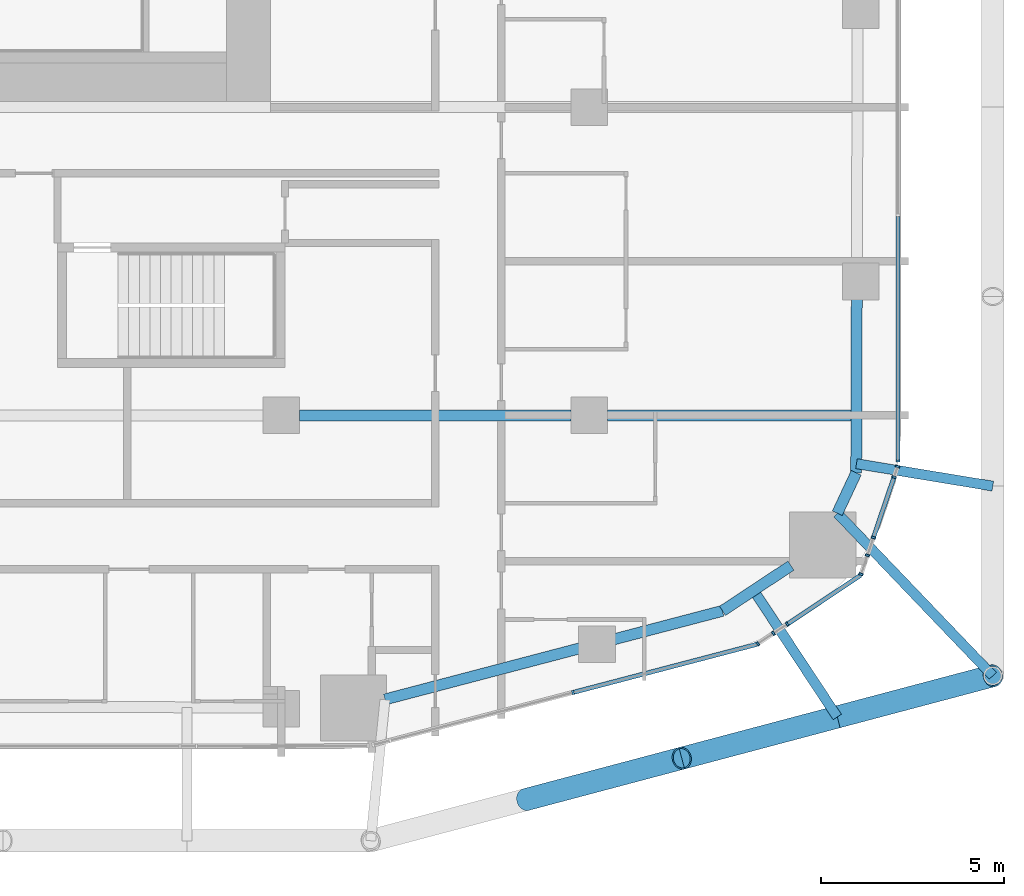
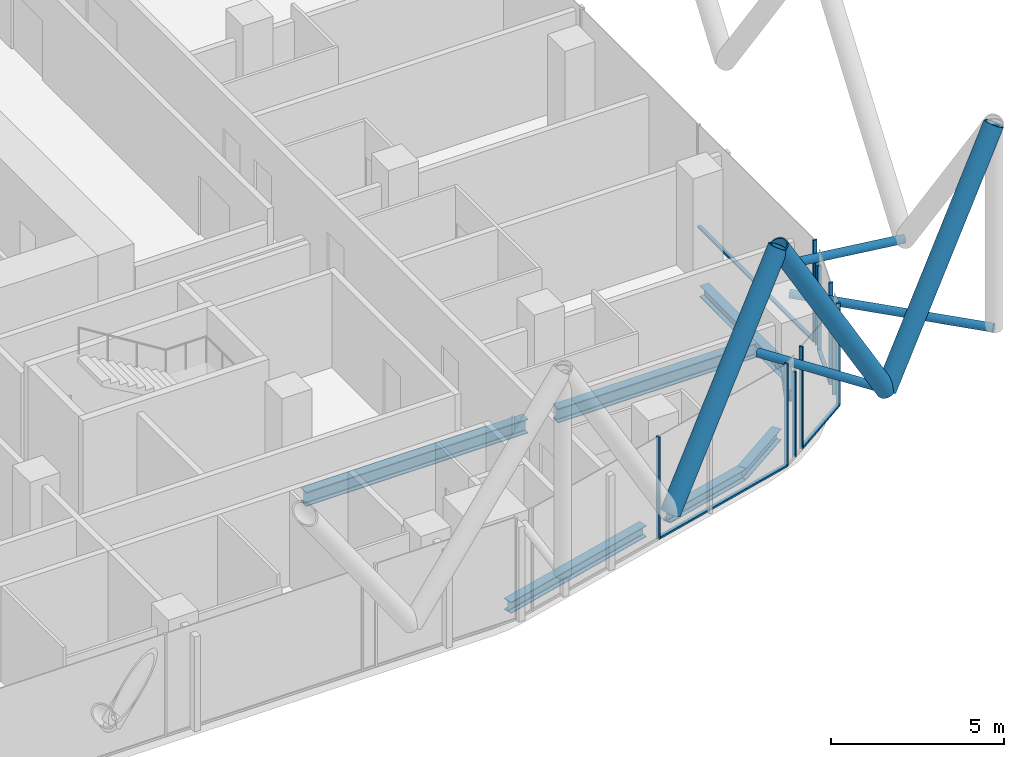
# One storey, part 6 of 38: 20 members, 7 beams, 9 elements without a shape of their own.
"""IFC4 building model written with IfcOpenShell, lengths in metres."""

from ifc_helpers import new_model, si_unit, direction, frame, origin, origin_2d, place, context, subcontext, project, spatial, rectangle, hollow_circle, i_section, extrude, material, layer, layer_set, material_profile, profile_set, type_object, element, aggregate, save


model = new_model("IFC4")

# Units and contexts
model_context = context("Model", 3, precision=1e-05, world=origin(), true_north=direction((0.0, 1.0)))
body_context = subcontext(model_context, "Body", "Model", "MODEL_VIEW")
ifc_project = project(units=[si_unit("LENGTHUNIT", "METRE"), si_unit("AREAUNIT", "SQUARE_METRE"), si_unit("VOLUMEUNIT", "CUBIC_METRE"), si_unit("PLANEANGLEUNIT", "RADIAN"), si_unit("MASSUNIT", "GRAM", prefix="KILO")], contexts=[model_context])

# Site, building, storey
site_placement = place(None, origin())
site = spatial("IfcSite", under=ifc_project, at=site_placement, CompositionType="ELEMENT")
building_placement = place(site_placement, origin())
building = spatial("IfcBuilding", under=site, at=building_placement, Name="Marenta Gate Hotel Tower", CompositionType="ELEMENT")
storey_placement = place(building_placement, frame((0.0, 0.0, 54.5)))
storey = spatial("IfcBuildingStorey", under=building, at=storey_placement, Name="L11", CompositionType="ELEMENT", Elevation=54.5)

# Members
ifc_material_1 = material(Name="Steel S355J2W", Category="steel")
ifc_material_profile_1 = material_profile(ifc_material_1, hollow_circle(Radius=0.304931640625, WallThickness=0.0400390625, at=origin_2d()), Name="CHS 610x40")
ifc_profile_set_1 = profile_set([ifc_material_profile_1], Name="Steel S355J2W")
member_type_1 = type_object("IfcMemberType", Name="Diagrid diagonal Z1 CHS 610x40", PredefinedType="BRACE", material=ifc_profile_set_1)
for number, where, z_axis, x_axis, name in (
    (1, (27.759765625, -16.625, 3.139892578125), (0.502913525317, 0.133401808564, 0.853980060379), (-0.256391194513, 0.966573098827, 0.0), "L11-DG-11"),
    (2, (27.759765625, -16.625, 3.139892578125), (-0.50291158245, -0.13343024942, 0.853976761263), (0.256443187528, -0.96655930577, 0.0), "L11-DG-12"),
    (3, (19.279296875, -18.875, 3.139892578125), (0.50291158245, 0.13343024942, 0.853976761263), (-0.256443187528, 0.96655930577, 0.0), "L11-DG-13"),
):
    element("IfcMember", number, at=place(storey_placement, frame(where, z_axis=z_axis, x_axis=x_axis)), inside=storey, type_object=member_type_1, Name=name, PredefinedType="BRACE", context=body_context, shape_type="SweptSolid", body=[
        extrude(hollow_circle(Radius=0.304931640625, WallThickness=0.0400390625, at=origin_2d()), origin(), (0.0, 0.0, 1.0), 8.431396484375),
    ])

# Beams
ifc_material_2 = material(Name="Steel S355", Category="steel")
ifc_material_profile_2 = material_profile(ifc_material_2, i_section(OverallWidth=0.300048828125, OverallDepth=0.39990234375, WebThickness=0.013427734375, FlangeThickness=0.02392578125, FilletRadius=0.027099609375, at=origin_2d()), Name="HEB 400")
ifc_profile_set_2 = profile_set([ifc_material_profile_2], Name="Steel S355")
beam_type_1 = type_object("IfcBeamType", Name="Edge beam HEB 400", PredefinedType="SPANDREL", material=ifc_profile_set_2)
beam_1_placement = place(storey_placement, frame((28.291015625, -5.2119140625, -0.4599609375), z_axis=(-0.003337079684, -0.999994431934, 0.0), x_axis=(0.999994431934, -0.003337079684, 0.0)))
element("IfcBeam", 4, at=beam_1_placement, inside=storey, type_object=beam_type_1, Name="L11-EB-27", PredefinedType="SPANDREL", context=body_context, shape_type="SweptSolid", body=[
    extrude(i_section(OverallWidth=0.300048828125, OverallDepth=0.39990234375, WebThickness=0.013427734375, FlangeThickness=0.02392578125, FilletRadius=0.027099609375, at=origin_2d()), origin(), (0.0, 0.0, 1.0), 4.75537109375),
])
beam_2_placement = place(storey_placement, frame((28.275146484375, -9.96728515625, -0.4599609375), z_axis=(-0.423291965192, -0.905993329006, 0.0), x_axis=(0.905993329006, -0.423291965192, 0.0)))
element("IfcBeam", 5, at=beam_2_placement, inside=storey, type_object=beam_type_1, Name="L11-EB-28", PredefinedType="SPANDREL", context=body_context, shape_type="SweptSolid", body=[
    extrude(i_section(OverallWidth=0.300048828125, OverallDepth=0.39990234375, WebThickness=0.013427734375, FlangeThickness=0.02392578125, FilletRadius=0.027099609375, at=origin_2d()), origin(), (0.0, 0.0, 1.0), 1.21630859375),
])
beam_3_placement = place(storey_placement, frame((26.496337890625, -12.498291015625, -0.4599609375), z_axis=(-0.834510054819, -0.550992711754, 0.0), x_axis=(0.550992711754, -0.834510054819, 0.0)))
element("IfcBeam", 6, at=beam_3_placement, inside=storey, type_object=beam_type_1, Name="L11-EB-29", PredefinedType="SPANDREL", context=body_context, shape_type="SweptSolid", body=[
    extrude(i_section(OverallWidth=0.300048828125, OverallDepth=0.39990234375, WebThickness=0.013427734375, FlangeThickness=0.02392578125, FilletRadius=0.027099609375, at=origin_2d()), origin(), (0.0, 0.0, 1.0), 2.237060546875),
])
beam_4_placement = place(storey_placement, frame((24.62939453125, -13.73095703125, -0.4599609375), z_axis=(-0.967228272573, -0.253908386501, 0.0), x_axis=(0.253908386501, -0.967228272573, 0.0)))
element("IfcBeam", 7, at=beam_4_placement, inside=storey, type_object=beam_type_1, Name="L11-EB-30", PredefinedType="SPANDREL", context=body_context, shape_type="SweptSolid", body=[
    extrude(i_section(OverallWidth=0.300048828125, OverallDepth=0.39990234375, WebThickness=0.013427734375, FlangeThickness=0.02392578125, FilletRadius=0.027099609375, at=origin_2d()), origin(), (0.0, 0.0, 1.0), 3.0615234375),
])
beam_5_placement = place(storey_placement, frame((20.74560546875, -14.75048828125, -0.4599609375), z_axis=(-0.967231374294, -0.253896570638, 0.0), x_axis=(0.253896570638, -0.967231374294, 0.0)))
element("IfcBeam", 8, at=beam_5_placement, inside=storey, type_object=beam_type_1, Name="L11-EB-31", PredefinedType="SPANDREL", context=body_context, shape_type="SweptSolid", body=[
    extrude(i_section(OverallWidth=0.300048828125, OverallDepth=0.39990234375, WebThickness=0.013427734375, FlangeThickness=0.02392578125, FilletRadius=0.027099609375, at=origin_2d()), origin(), (0.0, 0.0, 1.0), 5.498291015625),
])

# Members
ifc_material_3 = material(Name="Steel S355J2W", Category="steel")
ifc_material_profile_3 = material_profile(ifc_material_3, hollow_circle(Radius=0.136474609375, WallThickness=0.012451171875, at=origin_2d()), Name="CHS 273x12.5")
ifc_profile_set_3 = profile_set([ifc_material_profile_3], Name="Steel S355J2W")
member_type_2 = type_object("IfcMemberType", Name="Floor tie CHS 273x12.5", PredefinedType="STRUT", material=ifc_profile_set_3)
member_1_placement = place(storey_placement, frame((32.0, -10.330078125, 3.139892578125), z_axis=(-0.986724686623, 0.162401948291, 0.0), x_axis=(-0.162401948291, -0.986724686623, 0.0)))
element("IfcMember", 9, at=member_1_placement, inside=storey, type_object=member_type_2, Name="L11-DR-10", PredefinedType="STRUT", context=body_context, shape_type="SweptSolid", body=[
    extrude(hollow_circle(Radius=0.136474609375, WallThickness=0.012451171875, at=origin_2d()), origin(), (0.0, 0.0, 1.0), 3.767333984375),
])
member_2_placement = place(storey_placement, frame((32.0, -15.500244140625, 3.139892578125), z_axis=(-0.691351135911, 0.722518931845, 0.0), x_axis=(-0.722518931845, -0.691351135911, 0.0)))
element("IfcMember", 10, at=member_2_placement, inside=storey, type_object=member_type_2, Name="L11-DR-11", PredefinedType="STRUT", context=body_context, shape_type="SweptSolid", body=[
    extrude(hollow_circle(Radius=0.136474609375, WallThickness=0.012451171875, at=origin_2d()), origin(), (0.0, 0.0, 1.0), 6.12548828125),
])
member_3_placement = place(storey_placement, frame((27.759765625, -16.625, 3.139892578125), z_axis=(-0.550987031212, 0.83451380542, 0.0), x_axis=(-0.83451380542, -0.550987031212, 0.0)))
element("IfcMember", 11, at=member_3_placement, inside=storey, type_object=member_type_2, Name="L11-DR-12", PredefinedType="STRUT", context=body_context, shape_type="SweptSolid", body=[
    extrude(hollow_circle(Radius=0.136474609375, WallThickness=0.012451171875, at=origin_2d()), origin(), (0.0, 0.0, 1.0), 4.13330078125),
])

# Beams
ifc_material_4 = material(Name="Steel S355", Category="steel")
ifc_material_profile_4 = material_profile(ifc_material_4, i_section(OverallWidth=0.300048828125, OverallDepth=0.5, WebThickness=0.014404296875, FlangeThickness=0.028076171875, FilletRadius=0.027099609375, at=origin_2d()), Name="HEB 500")
ifc_profile_set_4 = profile_set([ifc_material_profile_4], Name="Steel S355")
beam_type_2 = type_object("IfcBeamType", Name="Girder HEB 500", PredefinedType="BEAM", material=ifc_profile_set_4)
beam_6_placement = place(storey_placement, frame((13.10009765625, -8.39990234375, -0.510009765625), z_axis=(1.0, 0.0, 0.0), x_axis=(0.0, 1.0, 0.0)))
element("IfcBeam", 12, at=beam_6_placement, inside=storey, type_object=beam_type_2, Name="L11-GD-6", PredefinedType="BEAM", context=body_context, shape_type="SweptSolid", body=[
    extrude(i_section(OverallWidth=0.300048828125, OverallDepth=0.5, WebThickness=0.014404296875, FlangeThickness=0.028076171875, FilletRadius=0.027099609375, at=origin_2d()), origin(), (0.0, 0.0, 1.0), 7.39990234375),
])
beam_7_placement = place(storey_placement, frame((21.5, -8.39990234375, -0.510009765625), z_axis=(1.0, 0.0, 0.0), x_axis=(0.0, 1.0, 0.0)))
element("IfcBeam", 13, at=beam_7_placement, inside=storey, type_object=beam_type_2, Name="L11-GD-7", PredefinedType="BEAM", context=body_context, shape_type="SweptSolid", body=[
    extrude(i_section(OverallWidth=0.300048828125, OverallDepth=0.5, WebThickness=0.014404296875, FlangeThickness=0.028076171875, FilletRadius=0.027099609375, at=origin_2d()), origin(), (0.0, 0.0, 1.0), 6.63037109375),
])

# Curtain wall, member
ifc_material_5 = material(Name="Tinted insulated glass in bronze anodised frame", Category="glass")
ifc_layer = layer(ifc_material_5, 0.1201171875)
ifc_layer_set = layer_set([ifc_layer], Name="Tinted insulated glass in bronze anodised frame")
curtain_wall_type = type_object("IfcCurtainWallType", Name="Tower unitised curtain wall CW1", PredefinedType="NOTDEFINED", material=ifc_layer_set)
curtain_wall_1_placement = place(storey_placement, origin())
curtain_wall_1 = element("IfcCurtainWall", 14, at=curtain_wall_1_placement, inside=storey, type_object=curtain_wall_type, Name="CW1 run G24", PredefinedType="NOTDEFINED")
ifc_material_6 = material(Name="Bronze anodised aluminium", Category="aluminium")
ifc_material_profile_5 = material_profile(ifc_material_6, rectangle(XDim=0.1201171875, YDim=0.06005859375, at=origin_2d()), Name="Mullion CW1 60x120 bronze anodised aluminium")
ifc_profile_set_5 = profile_set([ifc_material_profile_5], Name="Bronze anodised aluminium")
member_type_3 = type_object("IfcMemberType", Name="Mullion CW1 60x120 bronze anodised aluminium", PredefinedType="MULLION", material=ifc_profile_set_5)
member_4_placement = place(storey_placement, frame((20.5546875, -15.95654296875, 0.0), z_axis=(0.0, 0.0, 1.0), x_axis=(-0.253363691666, 0.967371097224, 0.0)))
member_4 = element("IfcMember", 15, at=member_4_placement, type_object=member_type_3, Name="CW1 mullion 2", PredefinedType="MULLION", context=body_context, shape_type="SweptSolid", body=[
    extrude(rectangle(XDim=0.1201171875, YDim=0.06005859375, at=origin_2d()), origin(), (0.0, 0.0, 1.0), 3.60009765625),
])

curtain_wall_2_placement = place(storey_placement, origin())
curtain_wall_2 = element("IfcCurtainWall", 16, at=curtain_wall_2_placement, inside=storey, type_object=curtain_wall_type, Name="CW1 run G25", PredefinedType="NOTDEFINED")
member_5_placement = place(storey_placement, frame((25.592529296875, -14.626953125, 0.0), z_axis=(0.0, 0.0, 1.0), x_axis=(-0.55406795082, 0.83247144448, 0.0)))
member_5 = element("IfcMember", 17, at=member_5_placement, type_object=member_type_3, Name="CW1 mullion 1", PredefinedType="MULLION", context=body_context, shape_type="SweptSolid", body=[
    extrude(rectangle(XDim=0.1201171875, YDim=0.06005859375, at=origin_2d()), origin(), (0.0, 0.0, 1.0), 3.60009765625),
])
aggregate(curtain_wall_2, [member_5])

curtain_wall_3_placement = place(storey_placement, origin())
curtain_wall_3 = element("IfcCurtainWall", 18, at=curtain_wall_3_placement, inside=storey, type_object=curtain_wall_type, Name="CW1 run G26", PredefinedType="NOTDEFINED")
member_6_placement = place(storey_placement, frame((26.01806640625, -14.34375, 0.0), z_axis=(0.0, 0.0, 1.0), x_axis=(-0.55393572557, 0.832559434477, 0.0)))
member_6 = element("IfcMember", 19, at=member_6_placement, type_object=member_type_3, Name="CW1 mullion 1", PredefinedType="MULLION", context=body_context, shape_type="SweptSolid", body=[
    extrude(rectangle(XDim=0.1201171875, YDim=0.06005859375, at=origin_2d()), origin(), (0.0, 0.0, 1.0), 3.00048828125),
])
aggregate(curtain_wall_3, [member_6])

curtain_wall_4_placement = place(storey_placement, origin())
curtain_wall_4 = element("IfcCurtainWall", 20, at=curtain_wall_4_placement, inside=storey, type_object=curtain_wall_type, Name="CW1 run G27", PredefinedType="NOTDEFINED")
member_7_placement = place(storey_placement, frame((26.395263671875, -14.0927734375, 0.0), z_axis=(0.0, 0.0, 1.0), x_axis=(-0.554045613941, 0.832486310802, 0.0)))
member_7 = element("IfcMember", 21, at=member_7_placement, type_object=member_type_3, Name="CW1 mullion 1", PredefinedType="MULLION", context=body_context, shape_type="SweptSolid", body=[
    extrude(rectangle(XDim=0.1201171875, YDim=0.06005859375, at=origin_2d()), origin(), (0.0, 0.0, 1.0), 3.60009765625),
])

curtain_wall_5_placement = place(storey_placement, origin())
curtain_wall_5 = element("IfcCurtainWall", 22, at=curtain_wall_5_placement, inside=storey, type_object=curtain_wall_type, Name="CW1 run G28", PredefinedType="NOTDEFINED")
member_8_placement = place(storey_placement, frame((28.405517578125, -12.73291015625, 0.0), z_axis=(0.0, 0.0, 1.0), x_axis=(-0.946722456746, 0.322050601446, 0.0)))
member_8 = element("IfcMember", 23, at=member_8_placement, type_object=member_type_3, Name="CW1 mullion 1", PredefinedType="MULLION", context=body_context, shape_type="SweptSolid", body=[
    extrude(rectangle(XDim=0.1201171875, YDim=0.06005859375, at=origin_2d()), origin(), (0.0, 0.0, 1.0), 3.60009765625),
])
aggregate(curtain_wall_5, [member_8])

curtain_wall_6_placement = place(storey_placement, origin())
curtain_wall_6 = element("IfcCurtainWall", 24, at=curtain_wall_6_placement, inside=storey, type_object=curtain_wall_type, Name="CW1 run G29", PredefinedType="NOTDEFINED")
member_9_placement = place(storey_placement, frame((28.5810546875, -12.216552734375, 0.0), z_axis=(0.0, 0.0, 1.0), x_axis=(-0.946746478316, 0.321979977321, 0.0)))
member_9 = element("IfcMember", 25, at=member_9_placement, type_object=member_type_3, Name="CW1 mullion 1", PredefinedType="MULLION", context=body_context, shape_type="SweptSolid", body=[
    extrude(rectangle(XDim=0.1201171875, YDim=0.06005859375, at=origin_2d()), origin(), (0.0, 0.0, 1.0), 3.00048828125),
])
aggregate(curtain_wall_6, [member_9])

curtain_wall_7_placement = place(storey_placement, origin())
curtain_wall_7 = element("IfcCurtainWall", 26, at=curtain_wall_7_placement, inside=storey, type_object=curtain_wall_type, Name="CW1 run G30", PredefinedType="NOTDEFINED")
member_10_placement = place(storey_placement, frame((28.74560546875, -11.733154296875, 0.0), z_axis=(0.0, 0.0, 1.0), x_axis=(-0.946728235546, 0.322033613183, 0.0)))
member_10 = element("IfcMember", 27, at=member_10_placement, type_object=member_type_3, Name="CW1 mullion 1", PredefinedType="MULLION", context=body_context, shape_type="SweptSolid", body=[
    extrude(rectangle(XDim=0.1201171875, YDim=0.06005859375, at=origin_2d()), origin(), (0.0, 0.0, 1.0), 3.60009765625),
])

# Curtain wall, members
curtain_wall_8_placement = place(storey_placement, origin())
curtain_wall_8 = element("IfcCurtainWall", 28, at=curtain_wall_8_placement, inside=storey, type_object=curtain_wall_type, Name="CW1 run G31", PredefinedType="NOTDEFINED")
member_11_placement = place(storey_placement, frame((29.3056640625, -10.086181640625, 0.0), z_axis=(0.0, 0.0, 1.0), x_axis=(-0.946726116827, 0.322039841818, 0.0)))
member_11 = element("IfcMember", 29, at=member_11_placement, type_object=member_type_3, Name="CW1 mullion 1", PredefinedType="MULLION", context=body_context, shape_type="SweptSolid", body=[
    extrude(rectangle(XDim=0.1201171875, YDim=0.06005859375, at=origin_2d()), origin(), (0.0, 0.0, 1.0), 3.00048828125),
])
member_12_placement = place(storey_placement, frame((29.404296875, -9.79638671875, 0.0), z_axis=(0.0, 0.0, 1.0), x_axis=(-0.946726116827, 0.322039841818, 0.0)))
member_12 = element("IfcMember", 30, at=member_12_placement, type_object=member_type_3, Name="CW1 mullion 2", PredefinedType="MULLION", context=body_context, shape_type="SweptSolid", body=[
    extrude(rectangle(XDim=0.1201171875, YDim=0.06005859375, at=origin_2d()), origin(), (0.0, 0.0, 1.0), 3.00048828125),
])
aggregate(curtain_wall_8, [member_11, member_12])

# Curtain wall, member
curtain_wall_9_placement = place(storey_placement, origin())
curtain_wall_9 = element("IfcCurtainWall", 31, at=curtain_wall_9_placement, inside=storey, type_object=curtain_wall_type, Name="CW1 run G32", PredefinedType="NOTDEFINED")
member_13_placement = place(storey_placement, frame((29.4140625, -9.64501953125, 0.0), z_axis=(0.0, 0.0, 1.0), x_axis=(-1.0, 0.0, 0.0)))
member_13 = element("IfcMember", 32, at=member_13_placement, type_object=member_type_3, Name="CW1 mullion 1", PredefinedType="MULLION", context=body_context, shape_type="SweptSolid", body=[
    extrude(rectangle(XDim=0.1201171875, YDim=0.06005859375, at=origin_2d()), origin(), (0.0, 0.0, 1.0), 3.60009765625),
])

# Member
ifc_material_7 = material(Name="Bronze anodised aluminium", Category="aluminium")
ifc_material_profile_6 = material_profile(ifc_material_7, rectangle(XDim=0.1201171875, YDim=0.06005859375, at=origin_2d()), Name="Transom CW1 60x120 bronze anodised aluminium")
ifc_profile_set_6 = profile_set([ifc_material_profile_6], Name="Bronze anodised aluminium")
member_type_4 = type_object("IfcMemberType", Name="Transom CW1 60x120 bronze anodised aluminium", PredefinedType="USERDEFINED", material=ifc_profile_set_6)
member_14_placement = place(storey_placement, frame((20.583740234375, -15.948974609375, 0.030029296875), z_axis=(0.967366692523, 0.253380508716, 0.0), x_axis=(-0.253380508716, 0.967366692523, 0.0)))
member_14 = element("IfcMember", 33, at=member_14_placement, type_object=member_type_4, Name="CW1 transom 2.1", ObjectType="TRANSOM", PredefinedType="USERDEFINED", context=body_context, shape_type="SweptSolid", body=[
    extrude(rectangle(XDim=0.1201171875, YDim=0.06005859375, at=origin_2d()), origin(), (0.0, 0.0, 1.0), 5.152099609375),
])

aggregate(curtain_wall_1, [member_4, member_14])

member_15_placement = place(storey_placement, frame((26.420166015625, -14.076171875, 0.030029296875), z_axis=(0.832509014786, 0.554011498347, 0.0), x_axis=(-0.554011498347, 0.832509014786, 0.0)))
member_15 = element("IfcMember", 34, at=member_15_placement, type_object=member_type_4, Name="CW1 transom 1.1", ObjectType="TRANSOM", PredefinedType="USERDEFINED", context=body_context, shape_type="SweptSolid", body=[
    extrude(rectangle(XDim=0.1201171875, YDim=0.06005859375, at=origin_2d()), origin(), (0.0, 0.0, 1.0), 2.373046875),
])

aggregate(curtain_wall_4, [member_7, member_15])

member_16_placement = place(storey_placement, frame((28.755126953125, -11.70458984375, 0.030029296875), z_axis=(0.322108589973, 0.946702728562, 0.0), x_axis=(-0.946702728562, 0.322108589973, 0.0)))
member_16 = element("IfcMember", 35, at=member_16_placement, type_object=member_type_4, Name="CW1 transom 1.1", ObjectType="TRANSOM", PredefinedType="USERDEFINED", context=body_context, shape_type="SweptSolid", body=[
    extrude(rectangle(XDim=0.1201171875, YDim=0.06005859375, at=origin_2d()), origin(), (0.0, 0.0, 1.0), 1.6796875),
])

aggregate(curtain_wall_7, [member_10, member_16])

member_17_placement = place(storey_placement, frame((29.4140625, -9.614990234375, 0.030029296875), z_axis=(0.0, 1.0, 0.0), x_axis=(-1.0, 0.0, 0.0)))
member_17 = element("IfcMember", 36, at=member_17_placement, type_object=member_type_4, Name="CW1 transom 1.1", ObjectType="TRANSOM", PredefinedType="USERDEFINED", context=body_context, shape_type="SweptSolid", body=[
    extrude(rectangle(XDim=0.1201171875, YDim=0.06005859375, at=origin_2d()), origin(), (0.0, 0.0, 1.0), 6.640625),
])

aggregate(curtain_wall_9, [member_13, member_17])

save(model, "model.ifc")
